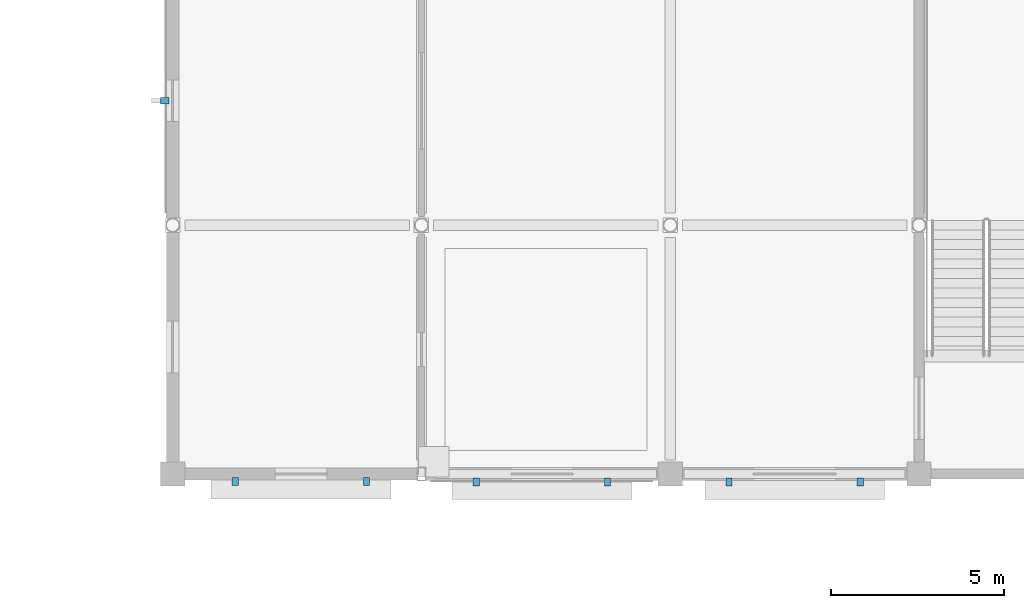
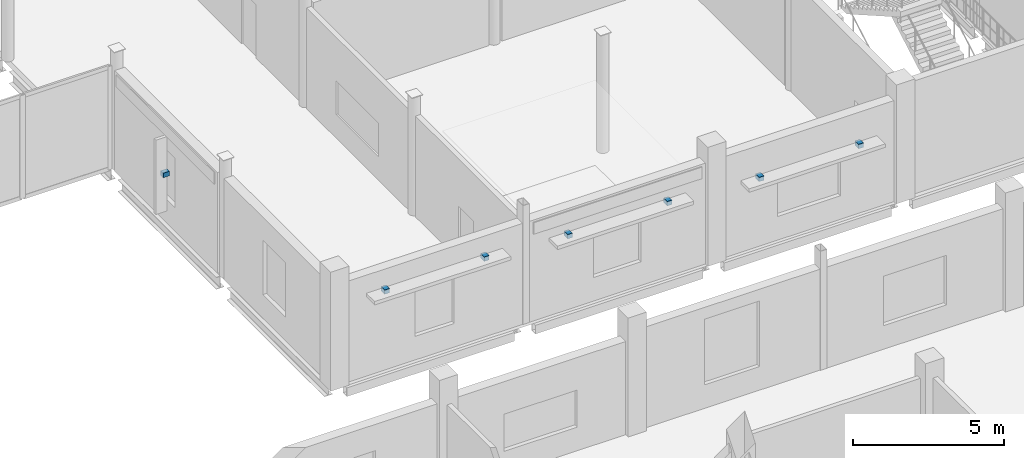
# One storey, part 102 of 120: 7 discrete accessories.
"""IFC4 building model written with IfcOpenShell, lengths in metres."""

from ifc_helpers import new_model, si_unit, direction, frame, origin, origin_2d, place, context, subcontext, project, spatial, rectangle, extrude, material, type_object, element, save


model = new_model("IFC4")

# Units and contexts
model_context = context("Model", 3, precision=1e-05, world=origin(), true_north=direction((0.0, 1.0)))
body_context = subcontext(model_context, "Body", "Model", "MODEL_VIEW")
ifc_project = project(units=[si_unit("LENGTHUNIT", "METRE"), si_unit("AREAUNIT", "SQUARE_METRE"), si_unit("VOLUMEUNIT", "CUBIC_METRE"), si_unit("PLANEANGLEUNIT", "RADIAN"), si_unit("MASSUNIT", "GRAM", prefix="KILO")], contexts=[model_context])

# Site, building, storey
site_placement = place(None, origin())
site = spatial("IfcSite", under=ifc_project, at=site_placement, CompositionType="ELEMENT")
building_placement = place(site_placement, origin())
building = spatial("IfcBuilding", under=site, at=building_placement, Name="Vesperath Aquatics Centre", CompositionType="ELEMENT")
storey_placement = place(building_placement, frame((0.0, 0.0, 10.199951171875)))
storey = spatial("IfcBuildingStorey", under=building, at=storey_placement, Name="L02", CompositionType="ELEMENT", Elevation=10.199951171875)

# Discrete accessories
ifc_material = material(Name="Stainless steel facade anchor bracket", Category="steel")
discrete_accessory_type = type_object("IfcDiscreteAccessoryType", Name="DA-BRK01", PredefinedType="BRACKET", material=ifc_material)
for number, where, z_axis, x_axis, name in (
    (1, (145.8125, 50.179931640625, 3.18017578125), (0.0, 0.0, 1.0), (1.0, 0.0, 0.0), "Sunshade Anchor Bracket BK01 L02_S_20_07-W"),
    (2, (149.612548828125, 50.179931640625, 3.18017578125), (0.0, 0.0, 1.0), (1.0, 0.0, 0.0), "Sunshade Anchor Bracket BK01 L02_S_20_07-E"),
    (3, (152.78759765625, 50.169921875, 2.97998046875), (0.0, 0.0, 1.0), (1.0, 0.0, 0.0), "Sunshade Anchor Bracket BK01 L02_S_21_07-W"),
    (4, (156.58740234375, 50.169921875, 2.97998046875), (0.0, 0.0, 1.0), (1.0, 0.0, 0.0), "Sunshade Anchor Bracket BK01 L02_S_21_07-E"),
    (5, (160.10009765625, 50.169921875, 2.72998046875), (0.0, 0.0, 1.0), (1.0, 0.0, 0.0), "Sunshade Anchor Bracket BK01 L02_S_22_07-W"),
    (6, (163.89990234375, 50.169921875, 2.72998046875), (0.0, 0.0, 1.0), (1.0, 0.0, 0.0), "Sunshade Anchor Bracket BK01 L02_S_22_07-E"),
):
    element("IfcDiscreteAccessory", number, at=place(storey_placement, frame(where, z_axis=z_axis, x_axis=x_axis)), inside=storey, type_object=discrete_accessory_type, Name=name, PredefinedType="BRACKET", context=body_context, shape_type="SweptSolid", body=[
        extrude(rectangle(XDim=0.179931640625, YDim=0.239990234375, at=origin_2d()), origin(), (0.0, 0.0, 1.0), 0.179931640625),
    ])
discrete_accessory_placement = place(storey_placement, frame((143.77001953125, 61.199951171875, 1.91015625), z_axis=(0.0, 0.0, 1.0), x_axis=(1.0, 0.0, 0.0)))
element("IfcDiscreteAccessory", 7, at=discrete_accessory_placement, inside=storey, type_object=discrete_accessory_type, Name="Solar Fin Bracket BK01 L02_W_20_08", PredefinedType="BRACKET", context=body_context, shape_type="SweptSolid", body=[
    extrude(rectangle(XDim=0.239990234375, YDim=0.179931640625, at=origin_2d()), origin(), (0.0, 0.0, 1.0), 0.179931640625),
])

save(model, "model.ifc")
